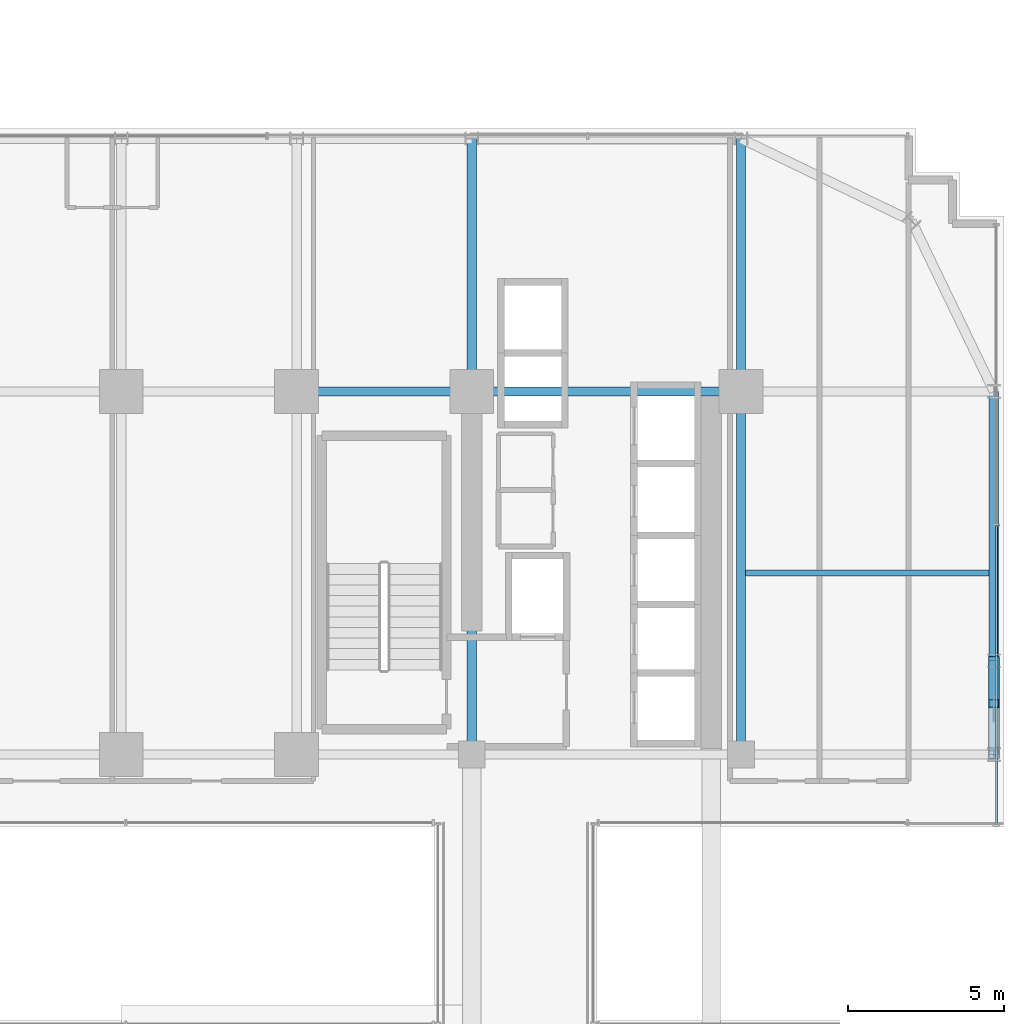
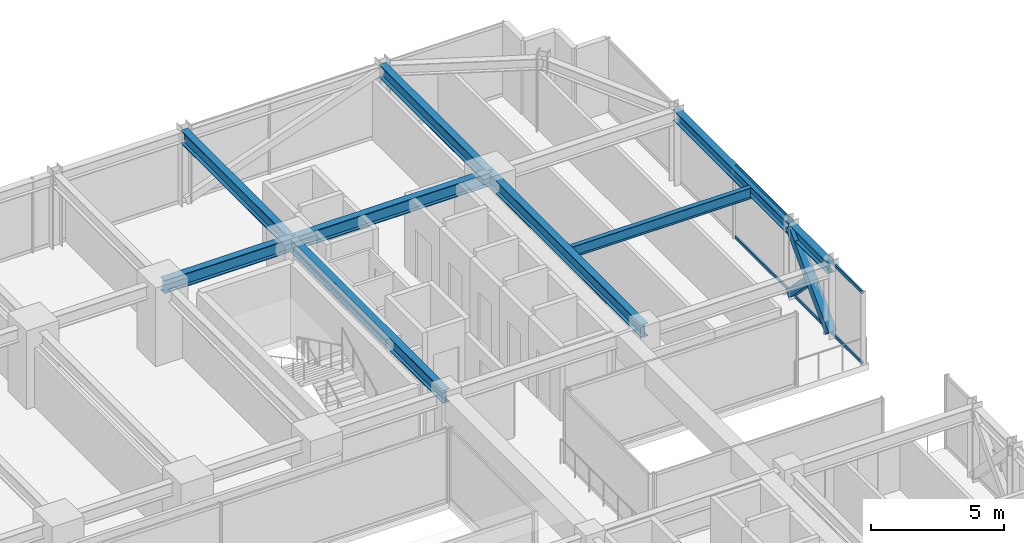
# One storey, part 30 of 42: 9 beams, 4 members, 1 element without a shape of its own.
"""IFC4 building model written with IfcOpenShell, lengths in metres."""

from ifc_helpers import new_model, si_unit, direction, frame, origin, origin_2d, place, context, subcontext, project, spatial, hollow_rectangle, i_section, extrude, source, transform, mapped, material, material_profile, profile_set, type_object, element, aggregate, save


model = new_model("IFC4")

# Units and contexts
model_context = context("Model", 3, precision=1e-05, world=origin(), true_north=direction((0.0, 1.0)))
body_context = subcontext(model_context, "Body", "Model", "MODEL_VIEW")
ifc_project = project(units=[si_unit("LENGTHUNIT", "METRE"), si_unit("AREAUNIT", "SQUARE_METRE"), si_unit("VOLUMEUNIT", "CUBIC_METRE"), si_unit("PLANEANGLEUNIT", "RADIAN"), si_unit("MASSUNIT", "GRAM", prefix="KILO")], contexts=[model_context])

# Site, building, storey
site_placement = place(None, origin())
site = spatial("IfcSite", under=ifc_project, at=site_placement, CompositionType="ELEMENT")
building_placement = place(site_placement, origin())
building = spatial("IfcBuilding", under=site, at=building_placement, Name="Nahalor Promenade Grand Hotel", CompositionType="ELEMENT")
storey_placement = place(building_placement, frame((0.0, 0.0, 61.60009765625)))
storey = spatial("IfcBuildingStorey", under=building, at=storey_placement, Name="L14", CompositionType="ELEMENT", Elevation=61.60009765625)

# Beams
ifc_material_1 = material(Name="Steel S355JR", Category="steel")
ifc_material_profile_1 = material_profile(ifc_material_1, i_section(OverallWidth=0.3, OverallDepth=0.6, WebThickness=0.0155, FlangeThickness=0.03, at=origin_2d()), Name="HEB 600")
ifc_profile_set_1 = profile_set([ifc_material_profile_1], Name="Steel S355JR")
beam_type_1 = type_object("IfcBeamType", Name="Beam-Girder-HEB600", PredefinedType="BEAM", material=ifc_profile_set_1)
shared_shape_1 = source(origin(), body_context, "Body", "SweptSolid", [
    extrude(i_section(OverallWidth=0.3, OverallDepth=0.6, WebThickness=0.0155, FlangeThickness=0.03, at=origin_2d()), origin(), (0.0, 0.0, 1.0), 8.60009765625),
])
beam_1_placement = place(storey_placement, frame((8.39990234375, 17.0, 3.06982421875), z_axis=(1.0, 0.0, 0.0), x_axis=(0.0, 1.0, 0.0)))
element("IfcBeam", 1, at=beam_1_placement, inside=storey, type_object=beam_type_1, Name="BM-L14-GX-3-5", PredefinedType="BEAM", context=body_context, shape_type="MappedRepresentation", body=[
    mapped(shared_shape_1, transform((0.0, 0.0, 0.0), scale=1.0)),
])
shared_shape_2 = source(origin(), body_context, "Body", "SweptSolid", [
    extrude(i_section(OverallWidth=0.3, OverallDepth=0.6, WebThickness=0.0155, FlangeThickness=0.03, at=origin_2d()), origin(), (0.0, 0.0, 1.0), 5.599853515625),
])
beam_2_placement = place(storey_placement, frame((2.800048828125, 17.0, 3.06982421875), z_axis=(1.0, 0.0, 0.0), x_axis=(0.0, 1.0, 0.0)))
element("IfcBeam", 2, at=beam_2_placement, inside=storey, type_object=beam_type_1, Name="BM-L14-GX-3-4", PredefinedType="BEAM", context=body_context, shape_type="MappedRepresentation", body=[
    mapped(shared_shape_2, transform((0.0, 0.0, 0.0), scale=1.0)),
])
shared_shape_3 = source(origin(), body_context, "Body", "SweptSolid", [
    extrude(i_section(OverallWidth=0.3, OverallDepth=0.6, WebThickness=0.0155, FlangeThickness=0.03, at=origin_2d()), origin(), (0.0, 0.0, 1.0), 11.60009765625),
])
for number, where, z_axis, x_axis, name in (
    (3, (8.39990234375, 5.39990234375, 3.06982421875), (0.0, 1.0, 0.0), (-1.0, 0.0, 0.0), "BM-L14-GY-4-3"),
    (4, (17.0, 5.39990234375, 3.06982421875), (0.0, 1.0, 0.0), (-1.0, 0.0, 0.0), "BM-L14-GY-5-3"),
):
    element("IfcBeam", number, at=place(storey_placement, frame(where, z_axis=z_axis, x_axis=x_axis)), inside=storey, type_object=beam_type_1, Name=name, PredefinedType="BEAM", context=body_context, shape_type="MappedRepresentation", body=[
        mapped(shared_shape_3, transform((0.0, 0.0, 0.0), scale=1.0)),
    ])
ifc_material_profile_2 = material_profile(ifc_material_1, i_section(OverallWidth=0.3, OverallDepth=0.5, WebThickness=0.0145, FlangeThickness=0.028, at=origin_2d()), Name="HEB 500")
ifc_profile_set_2 = profile_set([ifc_material_profile_2], Name="Steel S355JR")
beam_type_2 = type_object("IfcBeamType", Name="Beam-Spandrel-HEB500", PredefinedType="SPANDREL", material=ifc_profile_set_2)
shared_shape_4 = source(origin(), body_context, "Body", "SweptSolid", [
    extrude(i_section(OverallWidth=0.3, OverallDepth=0.5, WebThickness=0.0145, FlangeThickness=0.028, at=origin_2d()), origin(), (0.0, 0.0, 1.0), 8.60009765625),
])
beam_3_placement = place(storey_placement, frame((25.080078125, 8.39990234375, 3.119873046875), z_axis=(0.0, 1.0, 0.0), x_axis=(-1.0, 0.0, 0.0)))
element("IfcBeam", 5, at=beam_3_placement, inside=storey, type_object=beam_type_2, Name="BM-L14-SP-E-4", PredefinedType="SPANDREL", context=body_context, shape_type="MappedRepresentation", body=[
    mapped(shared_shape_4, transform((0.0, 0.0, 0.0), scale=1.0)),
])
shared_shape_5 = source(origin(), body_context, "Body", "SweptSolid", [
    extrude(i_section(OverallWidth=0.3, OverallDepth=0.5, WebThickness=0.0145, FlangeThickness=0.028, at=origin_2d()), origin(), (0.0, 0.0, 1.0), 3.0),
])
beam_4_placement = place(storey_placement, frame((25.080078125, 5.39990234375, 3.119873046875), z_axis=(0.0, 1.0, 0.0), x_axis=(-1.0, 0.0, 0.0)))
element("IfcBeam", 6, at=beam_4_placement, inside=storey, type_object=beam_type_2, Name="BM-L14-SP-E-3", PredefinedType="SPANDREL", context=body_context, shape_type="MappedRepresentation", body=[
    mapped(shared_shape_5, transform((0.0, 0.0, 0.0), scale=1.0)),
])
shared_shape_6 = source(origin(), body_context, "Body", "SweptSolid", [
    extrude(i_section(OverallWidth=0.3, OverallDepth=0.6, WebThickness=0.0155, FlangeThickness=0.03, at=origin_2d()), origin(), (0.0, 0.0, 1.0), 8.080078125),
])
for number, where, z_axis, x_axis, name in (
    (7, (8.39990234375, 17.0, 3.06982421875), (0.0, 1.0, 0.0), (-1.0, 0.0, 0.0), "BM-L14-GY-4-4"),
    (8, (17.0, 17.0, 3.06982421875), (0.0, 1.0, 0.0), (-1.0, 0.0, 0.0), "BM-L14-GY-5-4"),
):
    element("IfcBeam", number, at=place(storey_placement, frame(where, z_axis=z_axis, x_axis=x_axis)), inside=storey, type_object=beam_type_1, Name=name, PredefinedType="BEAM", context=body_context, shape_type="MappedRepresentation", body=[
        mapped(shared_shape_6, transform((0.0, 0.0, 0.0), scale=1.0)),
    ])
ifc_material_profile_3 = material_profile(ifc_material_1, i_section(OverallWidth=0.2, OverallDepth=0.5, WebThickness=0.0102, FlangeThickness=0.016, at=origin_2d()), Name="IPE 500")
ifc_profile_set_3 = profile_set([ifc_material_profile_3], Name="Steel S355JR")
beam_type_3 = type_object("IfcBeamType", Name="Beam-Joist-IPE500", PredefinedType="JOIST", material=ifc_profile_set_3)
shared_shape_7 = source(origin(), body_context, "Body", "SweptSolid", [
    extrude(i_section(OverallWidth=0.2, OverallDepth=0.5, WebThickness=0.0102, FlangeThickness=0.016, at=origin_2d()), origin(), (0.0, 0.0, 1.0), 7.780029296875),
])
beam_5_placement = place(storey_placement, frame((17.14990234375, 11.199951171875, 3.119873046875), z_axis=(1.0, 0.0, 0.0), x_axis=(0.0, 1.0, 0.0)))
element("IfcBeam", 9, at=beam_5_placement, inside=storey, type_object=beam_type_3, Name="BM-L14-JSE-1-2", PredefinedType="JOIST", context=body_context, shape_type="MappedRepresentation", body=[
    mapped(shared_shape_7, transform((0.0, 0.0, 0.0), scale=1.0)),
])

# Members
ifc_material_profile_4 = material_profile(ifc_material_1, hollow_rectangle(XDim=0.35, YDim=0.35, WallThickness=0.02, at=origin_2d()), Name="SHS 350x350x20")
ifc_profile_set_4 = profile_set([ifc_material_profile_4], Name="Steel S355JR")
member_type_1 = type_object("IfcMemberType", Name="Mem-VoidBrace-SHS350", PredefinedType="BRACE", material=ifc_profile_set_4)
shared_shape_8 = source(origin(), body_context, "Body", "SweptSolid", [
    extrude(hollow_rectangle(XDim=0.35, YDim=0.35, WallThickness=0.02, at=origin_2d()), origin(), (0.0, 0.0, 1.0), 4.29248046875),
])
member_1_placement = place(storey_placement, frame((25.080078125, 5.39990234375, 0.14990234375), z_axis=(0.0, 0.698897904453, 0.715221447631), x_axis=(-1.0, 0.0, 0.0)))
element("IfcMember", 10, at=member_1_placement, inside=storey, type_object=member_type_1, Name="EXO-L14-VX1-E1", PredefinedType="BRACE", context=body_context, shape_type="MappedRepresentation", body=[
    mapped(shared_shape_8, transform((0.0, 0.0, 0.0), scale=1.0)),
])
shared_shape_9 = source(origin(), body_context, "Body", "SweptSolid", [
    extrude(hollow_rectangle(XDim=0.35, YDim=0.35, WallThickness=0.02, at=origin_2d()), origin(), (0.0, 0.0, 1.0), 1.958984375),
])
member_2_placement = place(storey_placement, frame((25.080078125, 8.39990234375, 0.14990234375), z_axis=(0.0, -0.698896728293, 0.715222596946), x_axis=(1.0, 0.0, 0.0)))
element("IfcMember", 11, at=member_2_placement, inside=storey, type_object=member_type_1, Name="EXO-L14-VX2-E1A", PredefinedType="BRACE", context=body_context, shape_type="MappedRepresentation", body=[
    mapped(shared_shape_9, transform((0.0, 0.0, 0.0), scale=1.0)),
])

# Curtain wall, members
ifc_material_2 = material(Name="Anodised Bronze Aluminium EN AW-6063 T6", Category="aluminium")
curtain_wall_type = type_object("IfcCurtainWallType", Name="CW3 Elliptical-Void Collar Unitised Curtain Wall", PredefinedType="USERDEFINED", material=ifc_material_2)
curtain_wall_placement = place(storey_placement, origin())
curtain_wall = element("IfcCurtainWall", 12, at=curtain_wall_placement, inside=storey, type_object=curtain_wall_type, Name="L14 Curtain Wall CW-L14-E-2", ObjectType="UNITISED_CURTAIN_WALL", PredefinedType="USERDEFINED")
ifc_material_profile_5 = material_profile(ifc_material_2, hollow_rectangle(XDim=0.07, YDim=0.14, WallThickness=0.004, at=origin_2d()), Name="CWT 70x140x4")
ifc_profile_set_5 = profile_set([ifc_material_profile_5], Name="Anodised Bronze Aluminium EN AW-6063 T6")
member_type_2 = type_object("IfcMemberType", Name="CWT3 Void Collar Transom 70x140", PredefinedType="USERDEFINED", material=ifc_profile_set_5)
shared_shape_10 = source(origin(), body_context, "Body", "SweptSolid", [
    extrude(hollow_rectangle(XDim=0.07, YDim=0.14, WallThickness=0.004, at=origin_2d()), origin(), (0.0, 0.0, 1.0), 9.525146484375),
])
member_3_placement = place(storey_placement, frame((25.159912109375, 3.169921875, 0.06982421875), z_axis=(0.0, 1.0, 0.0), x_axis=(-1.0, 0.0, 0.0)))
member_3 = element("IfcMember", 13, at=member_3_placement, type_object=member_type_2, Name="CW-L14-E-2 Transom 0-0", ObjectType="TRANSOM", PredefinedType="USERDEFINED", context=body_context, shape_type="MappedRepresentation", body=[
    mapped(shared_shape_10, transform((0.0, 0.0, 0.0), scale=1.0)),
])
member_4_placement = place(storey_placement, frame((25.159912109375, 3.169921875, 3.2998046875), z_axis=(0.0, 1.0, 0.0), x_axis=(-1.0, 0.0, 0.0)))
member_4 = element("IfcMember", 14, at=member_4_placement, type_object=member_type_2, Name="CW-L14-E-2 Transom 0-1", ObjectType="TRANSOM", PredefinedType="USERDEFINED", context=body_context, shape_type="MappedRepresentation", body=[
    mapped(shared_shape_10, transform((0.0, 0.0, 0.0), scale=1.0)),
])
aggregate(curtain_wall, [member_3, member_4])

save(model, "model.ifc")
